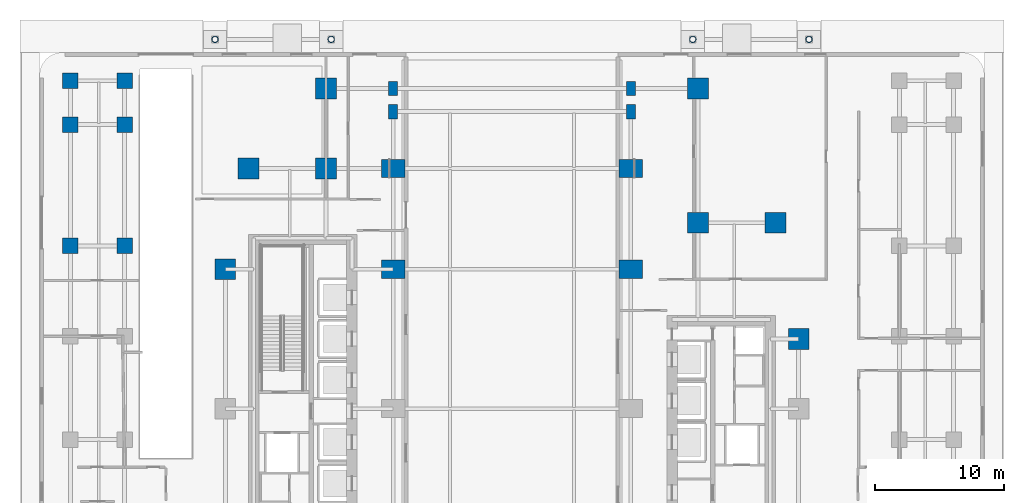
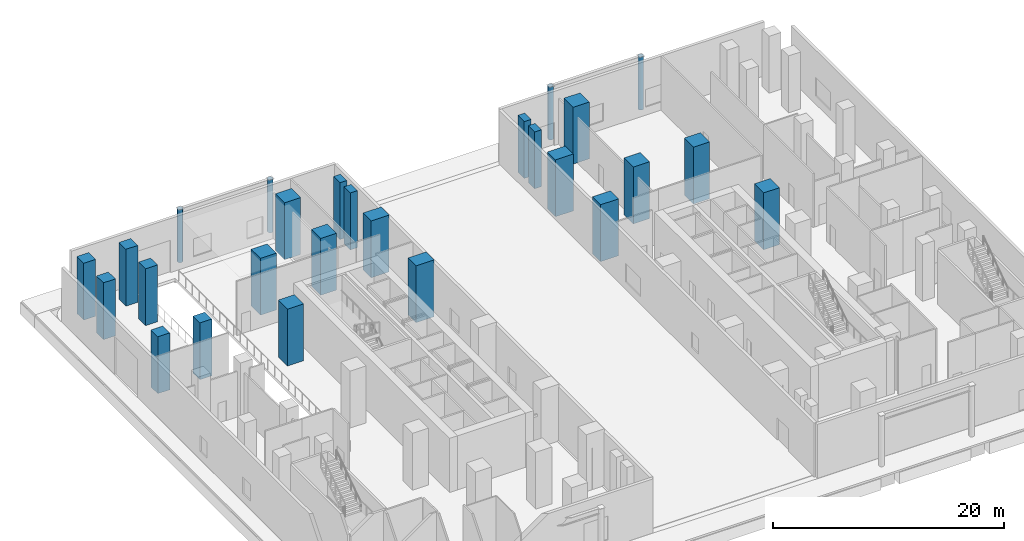
# One storey, part 3 of 22: 26 columns.
"""IFC4 building model written with IfcOpenShell, lengths in metres."""

from ifc_helpers import new_model, si_unit, direction, frame, origin, origin_2d, place, context, subcontext, project, spatial, rectangle, hollow_circle, extrude, material, material_profile, profile_set, type_object, element, save


model = new_model("IFC4")

# Units and contexts
model_context = context("Model", 3, precision=1e-05, world=origin(), true_north=direction((0.0, 1.0)))
body_context = subcontext(model_context, "Body", "Model", "MODEL_VIEW")
ifc_project = project(units=[si_unit("LENGTHUNIT", "METRE"), si_unit("AREAUNIT", "SQUARE_METRE"), si_unit("VOLUMEUNIT", "CUBIC_METRE"), si_unit("PLANEANGLEUNIT", "RADIAN"), si_unit("MASSUNIT", "GRAM", prefix="KILO")], contexts=[model_context])

# Site, building, storey
site_placement = place(None, origin())
site = spatial("IfcSite", under=ifc_project, at=site_placement, CompositionType="ELEMENT")
building_placement = place(site_placement, origin())
building = spatial("IfcBuilding", under=site, at=building_placement, Name="Khairoan Windgate Tower", CompositionType="ELEMENT")
storey_placement = place(building_placement, origin())
storey = spatial("IfcBuildingStorey", under=building, at=storey_placement, Name="L01", CompositionType="ELEMENT", Elevation=0.0)

# Columns
ifc_material_1 = material(Name="Concrete C60/75", Category="concrete")
ifc_material_profile_1 = material_profile(ifc_material_1, rectangle(XDim=0.699951171875, YDim=1.10009765625, at=origin_2d()))
ifc_profile_set_1 = profile_set([ifc_material_profile_1], Name="Concrete C60/75")
column_type_1 = type_object("IfcColumnType", Name="Arch Pilaster CP1 RC700x1100", PredefinedType="PILASTER", material=ifc_profile_set_1)
for number, where, z_axis, x_axis, name in (
    (1, (-9.199951171875, 24.800048828125, 0.0), (0.0, 0.0, 1.0), (1.0, 0.0, 0.0), "Column L01-52"),
    (2, (9.199951171875, 24.800048828125, 0.0), (0.0, 0.0, 1.0), (1.0, 0.0, 0.0), "Column L01-54"),
    (3, (-9.199951171875, 23.0, 0.0), (0.0, 0.0, 1.0), (1.0, 0.0, 0.0), "Inner Arch Pier Pilaster L01-02"),
    (4, (9.199951171875, 23.0, 0.0), (0.0, 0.0, 1.0), (1.0, 0.0, 0.0), "Inner Arch Pier Pilaster L01-04"),
):
    element("IfcColumn", number, at=place(storey_placement, frame(where, z_axis=z_axis, x_axis=x_axis)), inside=storey, type_object=column_type_1, Name=name, PredefinedType="PILASTER", context=body_context, shape_type="SweptSolid", body=[
        extrude(rectangle(XDim=0.699951171875, YDim=1.10009765625, at=origin_2d()), origin(), (0.0, 0.0, 1.0), 6.0),
    ])
ifc_material_2 = material(Name="Concrete C70/85", Category="concrete")
ifc_material_profile_2 = material_profile(ifc_material_2, rectangle(XDim=1.800048828125, YDim=1.39990234375, at=origin_2d()))
ifc_profile_set_2 = profile_set([ifc_material_profile_2], Name="Concrete C70/85")
column_type_2 = type_object("IfcColumnType", Name="Column C-AP1 RC1800x1400", PredefinedType="COLUMN", material=ifc_profile_set_2)
for number, where, z_axis, x_axis, name in (
    (5, (-9.199951171875, 10.800048828125, 0.0), (0.0, 0.0, 1.0), (1.0, 0.0, 0.0), "Column L01-04"),
    (6, (-9.199951171875, 18.60009765625, 0.0), (0.0, 0.0, 1.0), (1.0, 0.0, 0.0), "Column L01-05"),
    (7, (9.199951171875, 10.800048828125, 0.0), (0.0, 0.0, 1.0), (1.0, 0.0, 0.0), "Column L01-09"),
    (8, (9.199951171875, 18.60009765625, 0.0), (0.0, 0.0, 1.0), (1.0, 0.0, 0.0), "Column L01-10"),
):
    element("IfcColumn", number, at=place(storey_placement, frame(where, z_axis=z_axis, x_axis=x_axis)), inside=storey, type_object=column_type_2, Name=name, PredefinedType="COLUMN", context=body_context, shape_type="SweptSolid", body=[
        extrude(rectangle(XDim=1.800048828125, YDim=1.39990234375, at=origin_2d()), origin(), (0.0, 0.0, 1.0), 6.0),
    ])
ifc_material_3 = material(Name="Concrete C70/85", Category="concrete")
ifc_material_profile_3 = material_profile(ifc_material_3, rectangle(XDim=1.60009765625, YDim=1.60009765625, at=origin_2d()))
ifc_profile_set_3 = profile_set([ifc_material_profile_3], Name="Concrete C70/85")
column_type_3 = type_object("IfcColumnType", Name="Column C-T1 RC1600x1600", PredefinedType="COLUMN", material=ifc_profile_set_3)
for number, where, z_axis, x_axis, name in (
    (9, (-20.39990234375, 18.60009765625, 0.0), (0.0, 0.0, 1.0), (1.0, 0.0, 0.0), "Column L01-12"),
    (10, (20.39990234375, 14.39990234375, 0.0), (0.0, 0.0, 1.0), (1.0, 0.0, 0.0), "Column L01-14"),
    (11, (-14.39990234375, 18.60009765625, 0.0), (0.0, 0.0, 1.0), (1.0, 0.0, 0.0), "Column L01-16"),
    (12, (14.39990234375, 14.39990234375, 0.0), (0.0, 0.0, 1.0), (1.0, 0.0, 0.0), "Column L01-18"),
    (13, (-22.199951171875, 10.800048828125, 0.0), (0.0, 0.0, 1.0), (1.0, 0.0, 0.0), "Column L01-57"),
    (14, (22.199951171875, 5.39990234375, 0.0), (0.0, 0.0, 1.0), (1.0, 0.0, 0.0), "Column L01-60"),
    (15, (-14.39990234375, 24.800048828125, 0.0), (0.0, 0.0, 1.0), (1.0, 0.0, 0.0), "Column L01-62"),
    (16, (14.39990234375, 24.800048828125, 0.0), (0.0, 0.0, 1.0), (1.0, 0.0, 0.0), "Column L01-64"),
):
    element("IfcColumn", number, at=place(storey_placement, frame(where, z_axis=z_axis, x_axis=x_axis)), inside=storey, type_object=column_type_3, Name=name, PredefinedType="COLUMN", context=body_context, shape_type="SweptSolid", body=[
        extrude(rectangle(XDim=1.60009765625, YDim=1.60009765625, at=origin_2d()), origin(), (0.0, 0.0, 1.0), 6.0),
    ])
ifc_material_4 = material(Name="Concrete C60/75", Category="concrete")
ifc_material_profile_4 = material_profile(ifc_material_4, rectangle(XDim=1.199951171875, YDim=1.199951171875, at=origin_2d()))
ifc_profile_set_4 = profile_set([ifc_material_profile_4], Name="Concrete C60/75")
column_type_4 = type_object("IfcColumnType", Name="Column C-T3 RC1200x1200", PredefinedType="COLUMN", material=ifc_profile_set_4)
for number, where, z_axis, x_axis, name in (
    (17, (-34.199951171875, 12.60009765625, 0.0), (0.0, 0.0, 1.0), (1.0, 0.0, 0.0), "Column L01-24"),
    (18, (-34.199951171875, 22.0, 0.0), (0.0, 0.0, 1.0), (1.0, 0.0, 0.0), "Column L01-25"),
    (19, (-34.199951171875, 25.39990234375, 0.0), (0.0, 0.0, 1.0), (1.0, 0.0, 0.0), "Column L01-26"),
    (20, (-30.0, 12.60009765625, 0.0), (0.0, 0.0, 1.0), (1.0, 0.0, 0.0), "Column L01-32"),
    (21, (-30.0, 22.0, 0.0), (0.0, 0.0, 1.0), (1.0, 0.0, 0.0), "Column L01-33"),
    (22, (-30.0, 25.39990234375, 0.0), (0.0, 0.0, 1.0), (1.0, 0.0, 0.0), "Column L01-34"),
):
    element("IfcColumn", number, at=place(storey_placement, frame(where, z_axis=z_axis, x_axis=x_axis)), inside=storey, type_object=column_type_4, Name=name, PredefinedType="COLUMN", context=body_context, shape_type="SweptSolid", body=[
        extrude(rectangle(XDim=1.199951171875, YDim=1.199951171875, at=origin_2d()), origin(), (0.0, 0.0, 1.0), 6.0),
    ])
ifc_material_5 = material(Name="Steel S355", Category="steel")
ifc_material_profile_5 = material_profile(ifc_material_5, hollow_circle(Radius=0.25390625, WallThickness=0.02490234375, at=origin_2d()))
ifc_profile_set_5 = profile_set([ifc_material_profile_5], Name="Steel S355")
column_type_5 = type_object("IfcColumnType", Name="Steel Column SC8 CHS508x25", PredefinedType="COLUMN", material=ifc_profile_set_5)
for number, where, z_axis, x_axis, name in (
    (23, (-23.0, 28.60009765625, -0.199951171875), (0.0, 0.0, 1.0), (1.0, 0.0, 0.0), "Plaza Canopy Column N (-23.0)"),
    (24, (-14.0, 28.60009765625, -0.199951171875), (0.0, 0.0, 1.0), (1.0, 0.0, 0.0), "Plaza Canopy Column N (-14.0)"),
    (25, (14.0, 28.60009765625, -0.199951171875), (0.0, 0.0, 1.0), (1.0, 0.0, 0.0), "Plaza Canopy Column N (+14.0)"),
    (26, (23.0, 28.60009765625, -0.199951171875), (0.0, 0.0, 1.0), (1.0, 0.0, 0.0), "Plaza Canopy Column N (+23.0)"),
):
    element("IfcColumn", number, at=place(storey_placement, frame(where, z_axis=z_axis, x_axis=x_axis)), inside=storey, type_object=column_type_5, Name=name, PredefinedType="COLUMN", context=body_context, shape_type="SweptSolid", body=[
        extrude(hollow_circle(Radius=0.25390625, WallThickness=0.02490234375, at=origin_2d()), origin(), (0.0, 0.0, 1.0), 5.599853515625),
    ])

save(model, "model.ifc")
